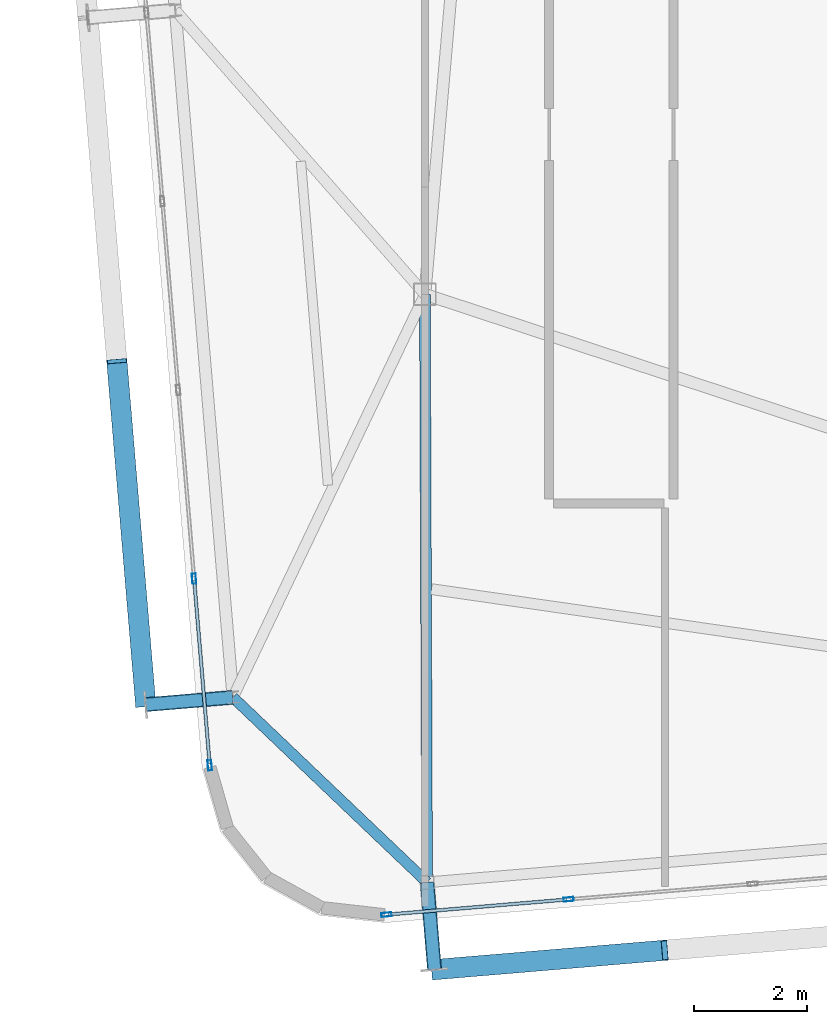
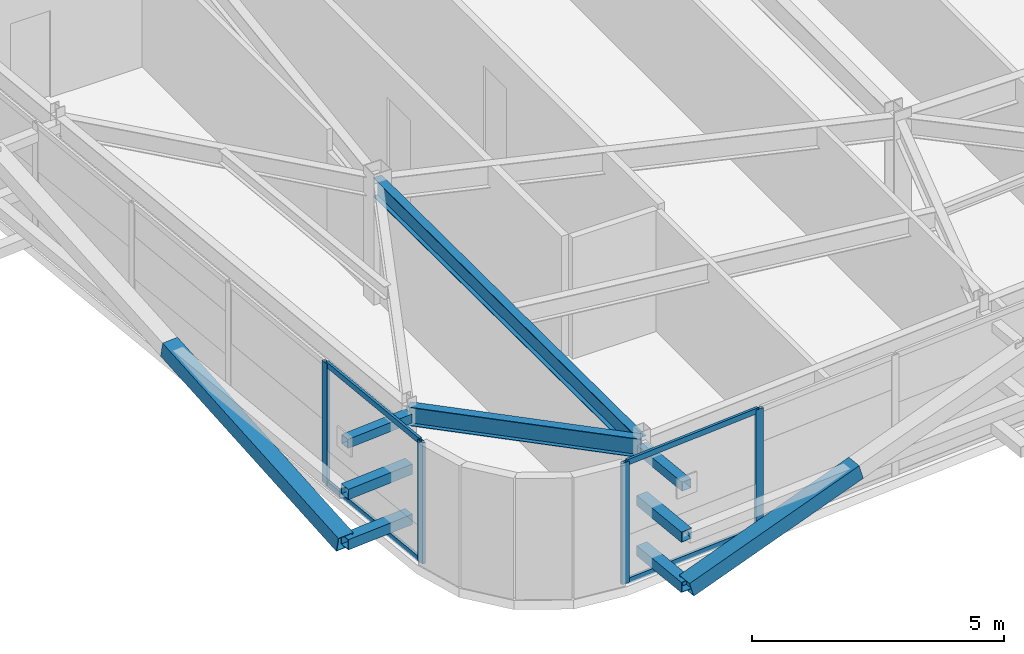
# One storey, part 7 of 44: 16 members, 2 beams, 2 elements without a shape of their own.
"""IFC4 building model written with IfcOpenShell, lengths in metres."""

from ifc_helpers import new_model, si_unit, direction, frame, origin, origin_2d, place, context, subcontext, project, spatial, hollow_rectangle, i_section, extrude, source, transform, mapped, material, layer, layer_set, material_profile, profile_set, type_object, element, aggregate, save


model = new_model("IFC4")

# Units and contexts
model_context = context("Model", 3, precision=1e-05, world=origin(), true_north=direction((0.0, 1.0)))
body_context = subcontext(model_context, "Body", "Model", "MODEL_VIEW")
ifc_project = project(units=[si_unit("LENGTHUNIT", "METRE"), si_unit("AREAUNIT", "SQUARE_METRE"), si_unit("VOLUMEUNIT", "CUBIC_METRE"), si_unit("PLANEANGLEUNIT", "RADIAN"), si_unit("MASSUNIT", "GRAM", prefix="KILO")], contexts=[model_context])

# Site, building, storey
site_placement = place(None, origin())
site = spatial("IfcSite", under=ifc_project, at=site_placement, CompositionType="ELEMENT")
building_placement = place(site_placement, origin())
building = spatial("IfcBuilding", under=site, at=building_placement, Name="Taldren Reach Tower", CompositionType="ELEMENT")
storey_placement = place(building_placement, frame((0.0, 0.0, 191.449951171875)))
storey = spatial("IfcBuildingStorey", under=building, at=storey_placement, Name="L58", CompositionType="ELEMENT", Elevation=191.449951171875)

# Members
ifc_material_1 = material(Name="Steel Gr 350 (C350L0)", Category="steel")
ifc_material_profile_1 = material_profile(ifc_material_1, hollow_rectangle(XDim=0.25, YDim=0.25, WallThickness=0.010009765625, at=origin_2d()), Name="250x250x10.0SHS")
ifc_profile_set_1 = profile_set([ifc_material_profile_1], Name="Steel Gr 350 (C350L0)")
member_type_1 = type_object("IfcMemberType", Name="MB-POST250", PredefinedType="POST", material=ifc_profile_set_1)
shared_shape_1 = source(origin(), body_context, "Body", "SweptSolid", [
    extrude(hollow_rectangle(XDim=0.25, YDim=0.25, WallThickness=0.010009765625, at=origin_2d()), origin(), (0.0, 0.0, 1.0), 1.5498046875),
])
for number, where, z_axis, x_axis, name in (
    (1, (18.03955078125, 2.093994140625, 0.219970703125), (0.083801560254, -0.996482462715, 0.0), (0.996482462715, 0.083801560254, 0.0), "Exoskeleton base diaphragm tie strut B4-S1 L58"),
    (2, (18.03955078125, 2.093994140625, 1.43505859375), (0.083801560254, -0.996482462715, 0.0), (0.996482462715, 0.083801560254, 0.0), "Exoskeleton mid-tier diaphragm tie B4-S1 L58"),
):
    element("IfcMember", number, at=place(storey_placement, frame(where, z_axis=z_axis, x_axis=x_axis)), inside=storey, type_object=member_type_1, Name=name, PredefinedType="POST", context=body_context, shape_type="MappedRepresentation", body=[
        mapped(shared_shape_1, transform((0.0, 0.0, 0.0), scale=1.0)),
    ])

# Beams
ifc_material_2 = material(Name="Steel Gr 350 (350PLUS)", Category="steel")
ifc_material_profile_2 = material_profile(ifc_material_2, i_section(OverallWidth=0.18994140625, OverallDepth=0.4541015625, WebThickness=0.008544921875, FlangeThickness=0.0126953125, at=origin_2d()), Name="460UB67.1")
ifc_profile_set_2 = profile_set([ifc_material_profile_2], Name="Steel Gr 350 (350PLUS)")
beam_type_1 = type_object("IfcBeamType", Name="SP-UB460B", PredefinedType="SPANDREL", material=ifc_profile_set_2)
shared_shape_2 = source(origin(), body_context, "Body", "SweptSolid", [
    extrude(i_section(OverallWidth=0.18994140625, OverallDepth=0.4541015625, WebThickness=0.008544921875, FlangeThickness=0.0126953125, at=origin_2d()), origin(), (0.0, 0.0, 1.0), 4.745849609375),
])
beam_1_placement = place(storey_placement, frame((14.603759765625, 5.367919921875, 2.703125), z_axis=(0.723954399605, -0.689847829084, 0.0), x_axis=(0.689847829084, 0.723954399605, 0.0)))
element("IfcBeam", 3, at=beam_1_placement, inside=storey, type_object=beam_type_1, Name="Perimeter spandrel B4 W1-S1 L58", PredefinedType="SPANDREL", context=body_context, shape_type="MappedRepresentation", body=[
    mapped(shared_shape_2, transform((0.0, 0.0, 0.0), scale=1.0)),
])
ifc_material_profile_3 = material_profile(ifc_material_2, i_section(OverallWidth=0.19091796875, OverallDepth=0.4599609375, WebThickness=0.010009765625, FlangeThickness=0.01611328125, at=origin_2d()), Name="460UB82.1")
ifc_profile_set_3 = profile_set([ifc_material_profile_3], Name="Steel Gr 350 (350PLUS)")
beam_type_2 = type_object("IfcBeamType", Name="BM-UB460A", PredefinedType="BEAM", material=ifc_profile_set_3)
shared_shape_3 = source(origin(), body_context, "Body", "SweptSolid", [
    extrude(i_section(OverallWidth=0.19091796875, OverallDepth=0.4599609375, WebThickness=0.010009765625, FlangeThickness=0.01611328125, at=origin_2d()), origin(), (0.0, 0.0, 1.0), 10.406005859375),
])
beam_2_placement = place(storey_placement, frame((18.0, 12.5, 2.699951171875), z_axis=(0.003800737393, -0.999992777172, 0.0), x_axis=(0.999992777172, 0.003800737393, 0.0)))
element("IfcBeam", 4, at=beam_2_placement, inside=storey, type_object=beam_type_2, Name="Primary floor girder B4-S1 L58", PredefinedType="BEAM", context=body_context, shape_type="MappedRepresentation", body=[
    mapped(shared_shape_3, transform((0.0, 0.0, 0.0), scale=1.0)),
])

# Members
ifc_material_3 = material(Name="Steel Gr 450 (C450L0)", Category="steel")
ifc_material_profile_4 = material_profile(ifc_material_3, hollow_rectangle(XDim=0.219970703125, YDim=0.219970703125, WallThickness=0.00830078125, at=origin_2d()), Name="220x220x8.2SHS")
ifc_profile_set_4 = profile_set([ifc_material_profile_4], Name="Steel Gr 450 (C450L0)")
member_type_2 = type_object("IfcMemberType", Name="MB-TIE219", PredefinedType="STRUT", material=ifc_profile_set_4)
shared_shape_4 = source(origin(), body_context, "Body", "SweptSolid", [
    extrude(hollow_rectangle(XDim=0.219970703125, YDim=0.219970703125, WallThickness=0.00830078125, at=origin_2d()), origin(), (0.0, 0.0, 1.0), 1.5498046875),
])
member_1_placement = place(storey_placement, frame((18.03955078125, 2.093994140625, 2.650146484375), z_axis=(0.083801560254, -0.996482462715, 0.0), x_axis=(0.996482462715, 0.083801560254, 0.0)))
element("IfcMember", 5, at=member_1_placement, inside=storey, type_object=member_type_2, Name="Exoskeleton diaphragm tie strut B4-S1 L58", PredefinedType="STRUT", context=body_context, shape_type="MappedRepresentation", body=[
    mapped(shared_shape_4, transform((0.0, 0.0, 0.0), scale=1.0)),
])
shared_shape_5 = source(origin(), body_context, "Body", "SweptSolid", [
    extrude(hollow_rectangle(XDim=0.219970703125, YDim=0.219970703125, WallThickness=0.00830078125, at=origin_2d()), origin(), (0.0, 0.0, 1.0), 1.54541015625),
])
member_2_placement = place(storey_placement, frame((14.59912109375, 5.36767578125, 2.650146484375), z_axis=(-0.99648887425, -0.083725285883, 0.0), x_axis=(0.083725285883, -0.99648887425, 0.0)))
element("IfcMember", 6, at=member_2_placement, inside=storey, type_object=member_type_2, Name="Exoskeleton diaphragm tie strut B4-W1 L58", PredefinedType="STRUT", context=body_context, shape_type="MappedRepresentation", body=[
    mapped(shared_shape_5, transform((0.0, 0.0, 0.0), scale=1.0)),
])
shared_shape_6 = source(origin(), body_context, "Body", "SweptSolid", [
    extrude(hollow_rectangle(XDim=0.25, YDim=0.25, WallThickness=0.010009765625, at=origin_2d()), origin(), (0.0, 0.0, 1.0), 1.54541015625),
])
for number, where, z_axis, x_axis, name in (
    (7, (14.59912109375, 5.36767578125, 0.219970703125), (-0.99648887425, -0.083725285883, 0.0), (0.083725285883, -0.99648887425, 0.0), "Exoskeleton base diaphragm tie strut B4-W1 L58"),
    (8, (14.59912109375, 5.36767578125, 1.43505859375), (-0.99648887425, -0.083725285883, 0.0), (0.083725285883, -0.99648887425, 0.0), "Exoskeleton mid-tier diaphragm tie B4-W1 L58"),
):
    element("IfcMember", number, at=place(storey_placement, frame(where, z_axis=z_axis, x_axis=x_axis)), inside=storey, type_object=member_type_1, Name=name, PredefinedType="POST", context=body_context, shape_type="MappedRepresentation", body=[
        mapped(shared_shape_6, transform((0.0, 0.0, 0.0), scale=1.0)),
    ])
ifc_material_profile_5 = material_profile(ifc_material_3, hollow_rectangle(XDim=0.360107421875, YDim=0.360107421875, WallThickness=0.0126953125, at=origin_2d()), Name="360x360x12.7SHS")
ifc_profile_set_5 = profile_set([ifc_material_profile_5], Name="Steel Gr 450 (C450L0)")
member_type_3 = type_object("IfcMemberType", Name="MB-EXO356", PredefinedType="BRACE", material=ifc_profile_set_5)
shared_shape_7 = source(origin(), body_context, "Body", "SweptSolid", [
    extrude(hollow_rectangle(XDim=0.360107421875, YDim=0.360107421875, WallThickness=0.0126953125, at=origin_2d()), origin(), (0.0, 0.0, 1.0), 4.2666015625),
])
member_3_placement = place(storey_placement, frame((18.16943359375, 0.549560546875, 0.219970703125), z_axis=(0.955233542365, 0.080165460216, 0.28478479336), x_axis=(-0.083628388178, 0.996497010879, 0.0)))
element("IfcMember", 9, at=member_3_placement, inside=storey, type_object=member_type_3, Name="Exoskeleton Diagrid Brace B4-S1 L58", PredefinedType="BRACE", context=body_context, shape_type="MappedRepresentation", body=[
    mapped(shared_shape_7, transform((0.0, 0.0, 0.0), scale=1.0)),
])
shared_shape_8 = source(origin(), body_context, "Body", "SweptSolid", [
    extrude(hollow_rectangle(XDim=0.360107421875, YDim=0.360107421875, WallThickness=0.0126953125, at=origin_2d()), origin(), (0.0, 0.0, 1.0), 6.219970703125),
])
member_4_placement = place(storey_placement, frame((13.05908203125, 5.23828125, 0.219970703125), z_axis=(-0.082075564879, 0.977291924611, 0.195356330179), x_axis=(-0.996492003099, -0.083688038336, 0.0)))
element("IfcMember", 10, at=member_4_placement, inside=storey, type_object=member_type_3, Name="Exoskeleton Diagrid Brace B4-W1 L58", PredefinedType="BRACE", context=body_context, shape_type="MappedRepresentation", body=[
    mapped(shared_shape_8, transform((0.0, 0.0, 0.0), scale=1.0)),
])

# Curtain wall, members
ifc_material_4 = material(Name="Aluminium and Low-E Glass Unitised System", Category="aluminium")
ifc_layer = layer(ifc_material_4, 0.159912109375)
ifc_layer_set = layer_set([ifc_layer], Name="Aluminium and Low-E Glass Unitised System")
curtain_wall_type = type_object("IfcCurtainWallType", Name="CW-SYS-5", PredefinedType="NOTDEFINED", material=ifc_layer_set)
curtain_wall_1_placement = place(storey_placement, origin())
curtain_wall_1 = element("IfcCurtainWall", 11, at=curtain_wall_1_placement, inside=storey, type_object=curtain_wall_type, Name="Unitised curtain wall CW-L58-S", PredefinedType="NOTDEFINED")
ifc_material_5 = material(Name="Anodised Aluminium 6063-T6", Category="aluminium")
ifc_material_profile_6 = material_profile(ifc_material_5, hollow_rectangle(XDim=0.070068359375, YDim=0.179931640625, WallThickness=0.00390625, at=origin_2d()), Name="ALU-180x70x4RHS")
ifc_profile_set_6 = profile_set([ifc_material_profile_6], Name="Anodised Aluminium 6063-T6")
member_type_4 = type_object("IfcMemberType", Name="CW-MUL-180", PredefinedType="MULLION", material=ifc_profile_set_6)
shared_shape_9 = source(origin(), body_context, "Body", "SweptSolid", [
    extrude(hollow_rectangle(XDim=0.070068359375, YDim=0.179931640625, WallThickness=0.00390625, at=origin_2d()), origin(), (0.0, 0.0, 1.0), 2.929931640625),
])
member_5_placement = place(storey_placement, frame((17.320068359375, 1.521728515625, 0.0), z_axis=(0.0, 0.0, 1.0), x_axis=(-0.083677894865, 0.996492854922, 0.0)))
member_5 = element("IfcMember", 12, at=member_5_placement, type_object=member_type_4, Name="CW-5 mullion 1", PredefinedType="MULLION", context=body_context, shape_type="MappedRepresentation", body=[
    mapped(shared_shape_9, transform((0.0, 0.0, 0.0), scale=1.0)),
])
member_6_placement = place(storey_placement, frame((20.54296875, 1.79248046875, 0.0), z_axis=(0.0, 0.0, 1.0), x_axis=(-0.083677894865, 0.996492854922, 0.0)))
member_6 = element("IfcMember", 13, at=member_6_placement, type_object=member_type_4, Name="CW-5 mullion 2", PredefinedType="MULLION", context=body_context, shape_type="MappedRepresentation", body=[
    mapped(shared_shape_9, transform((0.0, 0.0, 0.0), scale=1.0)),
])

curtain_wall_2_placement = place(storey_placement, origin())
curtain_wall_2 = element("IfcCurtainWall", 14, at=curtain_wall_2_placement, inside=storey, type_object=curtain_wall_type, Name="Unitised curtain wall CW-L58-W", PredefinedType="NOTDEFINED")
member_7_placement = place(storey_placement, frame((13.91552734375, 7.4677734375, 0.0), z_axis=(0.0, 0.0, 1.0), x_axis=(0.996492847789, 0.083677979808, 0.0)))
member_7 = element("IfcMember", 15, at=member_7_placement, type_object=member_type_4, Name="CW-5 mullion 8", PredefinedType="MULLION", context=body_context, shape_type="MappedRepresentation", body=[
    mapped(shared_shape_9, transform((0.0, 0.0, 0.0), scale=1.0)),
])
member_8_placement = place(storey_placement, frame((14.19287109375, 4.164306640625, 0.0), z_axis=(0.0, 0.0, 1.0), x_axis=(0.996492847789, 0.083677979808, 0.0)))
member_8 = element("IfcMember", 16, at=member_8_placement, type_object=member_type_4, Name="CW-5 mullion 9", PredefinedType="MULLION", context=body_context, shape_type="MappedRepresentation", body=[
    mapped(shared_shape_9, transform((0.0, 0.0, 0.0), scale=1.0)),
])

# Member
ifc_material_profile_7 = material_profile(ifc_material_5, hollow_rectangle(XDim=0.06005859375, YDim=0.135009765625, WallThickness=0.00341796875, at=origin_2d()), Name="ALU-135x60x3.5RHS")
ifc_profile_set_7 = profile_set([ifc_material_profile_7], Name="Anodised Aluminium 6063-T6")
member_type_5 = type_object("IfcMemberType", Name="CW-TRN-150", PredefinedType="USERDEFINED", material=ifc_profile_set_7)
shared_shape_10 = source(origin(), body_context, "Body", "SweptSolid", [
    extrude(hollow_rectangle(XDim=0.06005859375, YDim=0.135009765625, WallThickness=0.00341796875, at=origin_2d()), origin(), (0.0, 0.0, 1.0), 3.1640625),
])
member_9_placement = place(storey_placement, frame((17.35498046875, 1.524658203125, 0.030029296875), z_axis=(0.996489659996, 0.083715933496, 0.0), x_axis=(-0.083715933496, 0.996489659996, 0.0)))
member_9 = element("IfcMember", 17, at=member_9_placement, type_object=member_type_5, Name="CW-5 transom 1.1", ObjectType="TRANSOM", PredefinedType="USERDEFINED", context=body_context, shape_type="MappedRepresentation", body=[
    mapped(shared_shape_10, transform((0.0, 0.0, 0.0), scale=1.0)),
])

member_10_placement = place(storey_placement, frame((17.35498046875, 1.524658203125, 2.900146484375), z_axis=(0.996489659996, 0.083715933496, 0.0), x_axis=(-0.083715933496, 0.996489659996, 0.0)))
member_10 = element("IfcMember", 18, at=member_10_placement, type_object=member_type_5, Name="CW-5 transom 1.2", ObjectType="TRANSOM", PredefinedType="USERDEFINED", context=body_context, shape_type="MappedRepresentation", body=[
    mapped(shared_shape_10, transform((0.0, 0.0, 0.0), scale=1.0)),
])

aggregate(curtain_wall_1, [member_5, member_6, member_9, member_10])

shared_shape_11 = source(origin(), body_context, "Body", "SweptSolid", [
    extrude(hollow_rectangle(XDim=0.06005859375, YDim=0.135009765625, WallThickness=0.00341796875, at=origin_2d()), origin(), (0.0, 0.0, 1.0), 3.2451171875),
])
member_11_placement = place(storey_placement, frame((13.91845703125, 7.432861328125, 0.030029296875), z_axis=(0.083661876203, -0.996494199918, 0.0), x_axis=(0.996494199918, 0.083661876203, 0.0)))
member_11 = element("IfcMember", 19, at=member_11_placement, type_object=member_type_5, Name="CW-5 transom 8.1", ObjectType="TRANSOM", PredefinedType="USERDEFINED", context=body_context, shape_type="MappedRepresentation", body=[
    mapped(shared_shape_11, transform((0.0, 0.0, 0.0), scale=1.0)),
])

member_12_placement = place(storey_placement, frame((13.91845703125, 7.432861328125, 2.900146484375), z_axis=(0.083661876203, -0.996494199918, 0.0), x_axis=(0.996494199918, 0.083661876203, 0.0)))
member_12 = element("IfcMember", 20, at=member_12_placement, type_object=member_type_5, Name="CW-5 transom 8.2", ObjectType="TRANSOM", PredefinedType="USERDEFINED", context=body_context, shape_type="MappedRepresentation", body=[
    mapped(shared_shape_11, transform((0.0, 0.0, 0.0), scale=1.0)),
])

aggregate(curtain_wall_2, [member_7, member_8, member_11, member_12])

save(model, "model.ifc")
